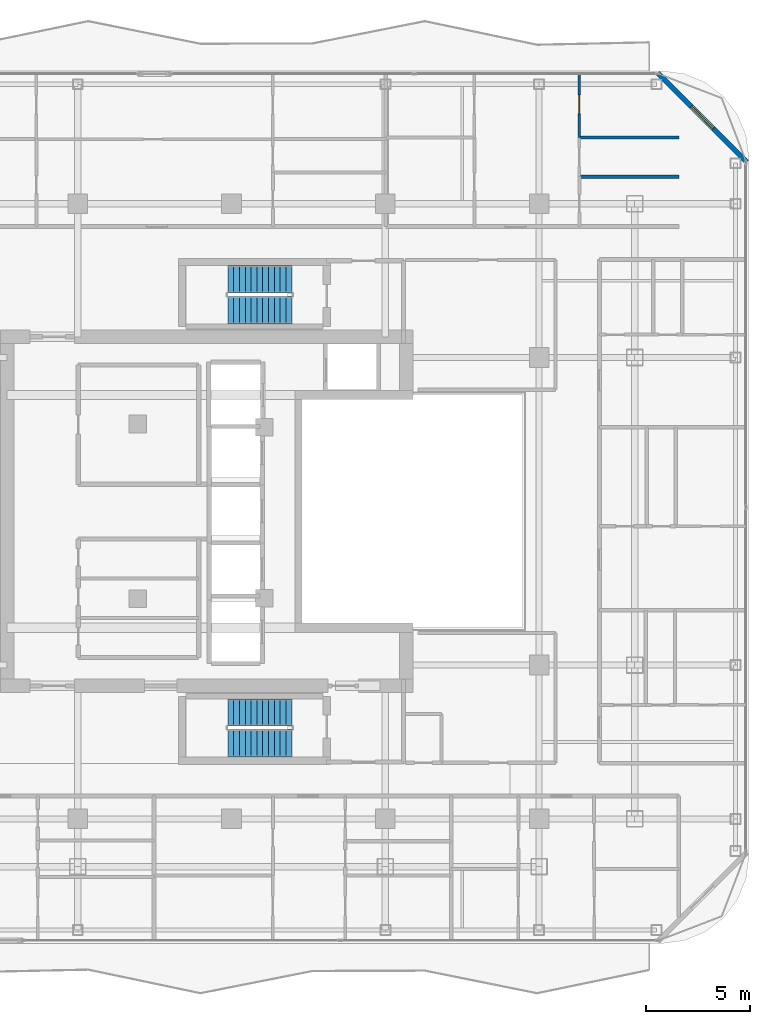
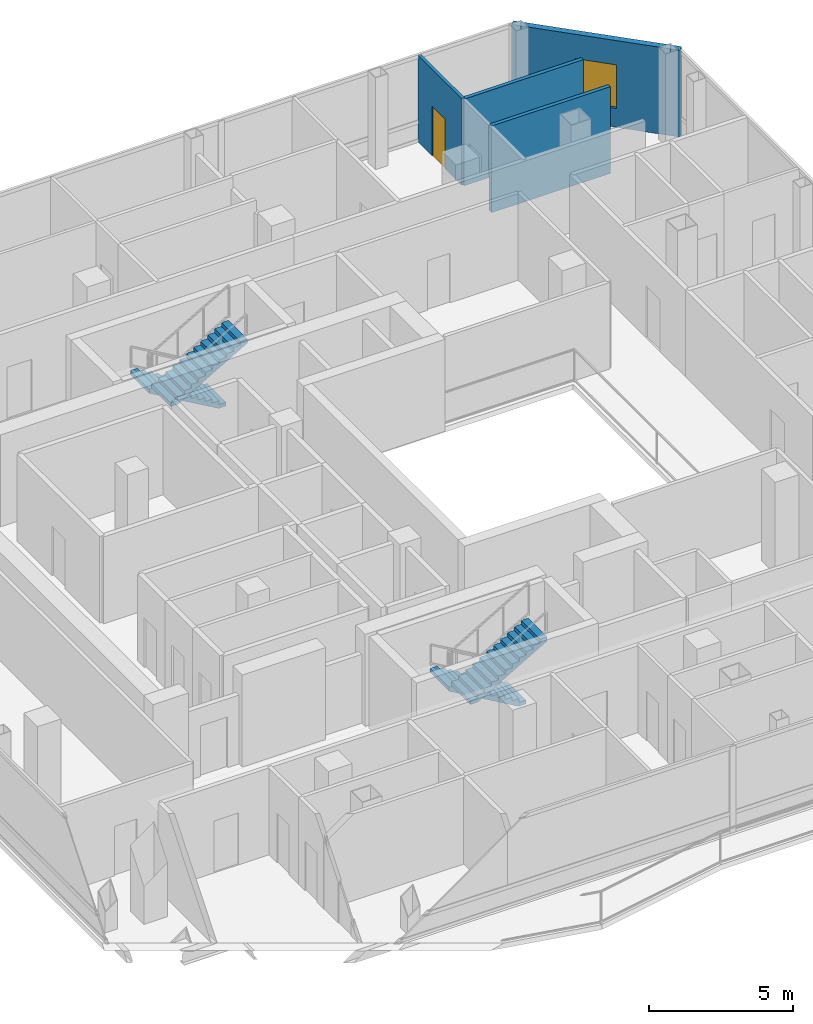
# One storey, part 21 of 24: 4 stair flights, 4 walls, 1 door, 1 window, 2 openings, 2 elements without a shape of their own.
"""IFC4 building model written with IfcOpenShell, lengths in metres."""

from ifc_helpers import new_model, si_unit, direction, frame, frame_2d, origin, place, context, subcontext, project, spatial, polyline, rectangle, outline, extrude, material, layer, layer_set, type_object, element, fill, aggregate, save


model = new_model("IFC4")

# Units and contexts
model_context = context("Model", 3, precision=1e-05, world=origin(), true_north=direction((0.0, 1.0)))
body_context = subcontext(model_context, "Body", "Model", "MODEL_VIEW")
ifc_project = project(units=[si_unit("LENGTHUNIT", "METRE"), si_unit("AREAUNIT", "SQUARE_METRE"), si_unit("VOLUMEUNIT", "CUBIC_METRE"), si_unit("PLANEANGLEUNIT", "RADIAN"), si_unit("MASSUNIT", "GRAM", prefix="KILO")], contexts=[model_context])

# Site, building, storey
site_placement = place(None, origin())
site = spatial("IfcSite", under=ifc_project, at=site_placement, CompositionType="ELEMENT")
building_placement = place(site_placement, origin())
building = spatial("IfcBuilding", under=site, at=building_placement, Name="Khorvyn Point Tower", CompositionType="ELEMENT")
storey_placement = place(building_placement, frame((0.0, 0.0, 266.39990234375)))
storey = spatial("IfcBuildingStorey", under=building, at=storey_placement, Name="L65", CompositionType="ELEMENT", Elevation=266.39990234375)

# Wall, opening, window
ifc_material_1 = material(Name="Pale anodised aluminium rainscreen on steel stud", Category="steel")
ifc_layer_1 = layer(ifc_material_1, 0.239990234375)
ifc_layer_set_1 = layer_set([ifc_layer_1], Name="Anodised Aluminium Insulated Corner Spandrel Wall 240")
wall_type_1 = type_object("IfcWallType", Name="Anodised Aluminium Insulated Corner Spandrel Wall 240", PredefinedType="SOLIDWALL", material=ifc_layer_set_1)
wall_1_placement = place(storey_placement, frame((20.507568359375, 21.09228515625, 0.0), z_axis=(0.0, 0.0, 1.0), x_axis=(0.707126925818, -0.707086635981, 0.0)))
wall_1 = element("IfcWall", 1, at=wall_1_placement, inside=storey, type_object=wall_type_1, Name="L65 Rounded Corner Wall NE", PredefinedType="SOLIDWALL", context=body_context, shape_type="SweptSolid", body=[
    extrude(rectangle(XDim=6.0595703125, YDim=0.239990234375, at=frame_2d((3.02978515625, 0.0))), origin(), (0.0, 0.0, 1.0), 3.68017578125),
])
opening_1_placement = place(wall_1_placement, frame((2.27978515625, 0.0, 0.800048828125)))
opening_1 = element("IfcOpeningElement", 2, at=opening_1_placement, cuts=wall_1, Name="Opening WN-1518", PredefinedType="OPENING", context=body_context, shape_type="SweptSolid", body=[
    extrude(rectangle(XDim=1.5, YDim=1.85009765625, at=frame_2d((0.75, 0.925048828125))), frame((0.0, 0.1298828125, 0.0), z_axis=(0.0, -1.0, 0.0), x_axis=(1.0, 0.0, 0.0)), (0.0, 0.0, 1.0), 0.260009765625),
])
ifc_material_2 = material(Name="Anodised aluminium 6063-T6 and laminated Low-E glass", Category="aluminium")
window_type = type_object("IfcWindowType", Name="Anodised Aluminium Rounded-Corner Panoramic Window 1500x1850", PartitioningType="SINGLE_PANEL", PredefinedType="WINDOW", material=ifc_material_2)
window_placement = place(opening_1_placement, origin())
window = element("IfcWindow", 3, at=window_placement, inside=storey, type_object=window_type, Name="L65 Corner Panoramic Window NE", OverallHeight=1.85009765625, OverallWidth=1.5, PartitioningType="SINGLE_PANEL", PredefinedType="WINDOW", context=body_context, shape_type="SweptSolid", body=[
    extrude(rectangle(XDim=1.5, YDim=1.85009765625, at=frame_2d((0.75, 0.925048828125))), frame((0.0, 0.030029296875, 0.0), z_axis=(0.0, -1.0, 0.0), x_axis=(1.0, 0.0, 0.0)), (0.0, 0.0, 1.0), 0.06005859375),
])
fill(opening_1, window)

# Wall, opening, door
ifc_material_3 = material(Name="Gypsum plasterboard on steel stud", Category="steel")
ifc_layer_2 = layer(ifc_material_3, 0.1201171875)
ifc_layer_set_2 = layer_set([ifc_layer_2], Name="Gypsum Acoustic Stud Room Partition Wall 120")
wall_type_2 = type_object("IfcWallType", Name="Gypsum Acoustic Stud Room Partition Wall 120", PredefinedType="PARTITIONING", material=ifc_layer_set_2)
wall_2_placement = place(storey_placement, frame((16.738037109375, 17.989990234375, 0.0), z_axis=(0.0, 0.0, 1.0), x_axis=(0.0, 1.0, 0.0)))
wall_2 = element("IfcWall", 4, at=wall_2_placement, inside=storey, type_object=wall_type_2, Name="Wall", PredefinedType="PARTITIONING", context=body_context, shape_type="SweptSolid", body=[
    extrude(rectangle(XDim=3.0400390625, YDim=0.1201171875, at=frame_2d((1.52001953125, 0.0))), origin(), (0.0, 0.0, 1.0), 3.68017578125),
])
opening_2_placement = place(wall_2_placement, frame((1.152587890625, 0.0, 0.0)))
opening_2 = element("IfcOpeningElement", 5, at=opening_2_placement, cuts=wall_2, Name="Opening ID-RM90", PredefinedType="OPENING", context=body_context, shape_type="SweptSolid", body=[
    extrude(rectangle(XDim=0.89990234375, YDim=2.10009765625, at=frame_2d((0.449951171875, 1.050048828125))), frame((0.0, 0.070068359375, 0.0), z_axis=(0.0, -1.0, 0.0), x_axis=(1.0, 0.0, 0.0)), (0.0, 0.0, 1.0), 0.14013671875),
])
ifc_material_4 = material(Name="Engineered oak veneer timber", Category="wood")
door_type = type_object("IfcDoorType", Name="Flush Engineered Timber Room Door 900x2100", OperationType="NOTDEFINED", PredefinedType="DOOR", material=ifc_material_4)
door_placement = place(opening_2_placement, origin())
door = element("IfcDoor", 6, at=door_placement, inside=storey, type_object=door_type, Name="Door", OperationType="SINGLE_SWING_LEFT", OverallHeight=2.10009765625, OverallWidth=0.89990234375, PredefinedType="DOOR", context=body_context, shape_type="SweptSolid", body=[
    extrude(rectangle(XDim=0.89990234375, YDim=2.10009765625, at=frame_2d((0.449951171875, 1.050048828125))), frame((0.0, 0.02490234375, 0.0), z_axis=(0.0, -1.0, 0.0), x_axis=(1.0, 0.0, 0.0)), (0.0, 0.0, 1.0), 0.050048828125),
])
fill(opening_2, door)

# Walls
ifc_material_5 = material(Name="Moisture-resistant gypsum and cement board", Category="gypsum")
ifc_layer_3 = layer(ifc_material_5, 0.14990234375)
ifc_layer_set_3 = layer_set([ifc_layer_3], Name="Moisture-Resistant Wet-Room Partition Wall 150")
wall_type_3 = type_object("IfcWallType", Name="Moisture-Resistant Wet-Room Partition Wall 150", PredefinedType="PARTITIONING", material=ifc_layer_set_3)
for number, where, z_axis, x_axis, name in (
    (7, (16.738037109375, 16.10205078125, 0.0), (0.0, 0.0, 1.0), (1.0, 0.0, 0.0), "Wall"),
    (8, (16.738037109375, 17.989990234375, 0.0), (0.0, 0.0, 1.0), (1.0, 0.0, 0.0), "Wall"),
):
    element("IfcWall", number, at=place(storey_placement, frame(where, z_axis=z_axis, x_axis=x_axis)), inside=storey, type_object=wall_type_3, Name=name, PredefinedType="PARTITIONING", context=body_context, shape_type="SweptSolid", body=[
        extrude(rectangle(XDim=4.781982421875, YDim=0.14990234375, at=frame_2d((2.39111328125, 0.0))), origin(), (0.0, 0.0, 1.0), 3.68017578125),
    ])

# Stair, stair flights
ifc_material_6 = material(Name="Concrete C40/50", Category="concrete")
stair_type = type_object("IfcStairType", Name="Tower Concrete C40/50 Dogleg Exit Stair", PredefinedType="HALF_TURN_STAIR", material=ifc_material_6)
stair_1_placement = place(storey_placement, origin())
stair_1 = element("IfcStair", 9, at=stair_1_placement, inside=storey, type_object=stair_type, Name="L65 Tower Smokeproof Exit Stair South", PredefinedType="HALF_TURN_STAIR")
stair_flight_type = type_object("IfcStairFlightType", Name="Tower Concrete C40/50 Stair Flight", PredefinedType="STRAIGHT", material=ifc_material_6)
stair_flight_1_placement = place(storey_placement, frame((2.89990234375, -9.679931640625, 0.0), z_axis=(0.0, 0.0, 1.0), x_axis=(-1.0, 0.0, 0.0)))
stair_flight_1 = element("IfcStairFlight", 10, at=stair_flight_1_placement, type_object=stair_flight_type, Name="ST-01 flight 1", NumberOfRisers=12, NumberOfTreads=11, PredefinedType="STRAIGHT", RiserHeight=0.1625, TreadLength=0.28, context=body_context, shape_type="SweptSolid", body=[
    extrude(outline(polyline([(0.0, 0.0), (0.0, 0.16259765625), (0.280029296875, 0.16259765625), (0.280029296875, 0.324951171875), (0.56005859375, 0.324951171875), (0.56005859375, 0.487548828125), (0.840087890625, 0.487548828125), (0.840087890625, 0.64990234375), (1.1201171875, 0.64990234375), (1.1201171875, 0.8125), (1.39990234375, 0.8125), (1.39990234375, 0.97509765625), (1.679931640625, 0.97509765625), (1.679931640625, 1.137451171875), (1.9599609375, 1.137451171875), (1.9599609375, 1.300048828125), (2.239990234375, 1.300048828125), (2.239990234375, 1.46240234375), (2.52001953125, 1.46240234375), (2.52001953125, 1.625), (2.800048828125, 1.625), (2.800048828125, 1.78759765625), (3.080078125, 1.78759765625), (3.080078125, 1.949951171875), (3.080078125, 1.6142578125), (0.298583984375, 0.0), (0.0, 0.0)])), frame((0.0, 0.66015625, 0.0), z_axis=(0.0, -1.0, 0.0), x_axis=(1.0, 0.0, 0.0)), (0.0, 0.0, 1.0), 1.320068359375),
])
stair_flight_2_placement = place(storey_placement, frame((-0.179931640625, -11.159912109375, 1.9501953125), z_axis=(0.0, 0.0, 1.0), x_axis=(1.0, 0.0, 0.0)))
stair_flight_2 = element("IfcStairFlight", 11, at=stair_flight_2_placement, type_object=stair_flight_type, Name="ST-01 flight 2", NumberOfRisers=12, NumberOfTreads=11, PredefinedType="STRAIGHT", RiserHeight=0.1625, TreadLength=0.28, context=body_context, shape_type="SweptSolid", body=[
    extrude(outline(polyline([(0.0, 0.0), (0.0, 0.16259765625), (0.280029296875, 0.16259765625), (0.280029296875, 0.324951171875), (0.56005859375, 0.324951171875), (0.56005859375, 0.487548828125), (0.840087890625, 0.487548828125), (0.840087890625, 0.64990234375), (1.1201171875, 0.64990234375), (1.1201171875, 0.8125), (1.39990234375, 0.8125), (1.39990234375, 0.97509765625), (1.679931640625, 0.97509765625), (1.679931640625, 1.137451171875), (1.9599609375, 1.137451171875), (1.9599609375, 1.300048828125), (2.239990234375, 1.300048828125), (2.239990234375, 1.46240234375), (2.52001953125, 1.46240234375), (2.52001953125, 1.625), (2.800048828125, 1.625), (2.800048828125, 1.78759765625), (3.080078125, 1.78759765625), (3.080078125, 1.949951171875), (3.080078125, 1.6142578125), (0.298583984375, 0.0), (0.0, 0.0)])), frame((0.0, 0.66015625, 0.0), z_axis=(0.0, -1.0, 0.0), x_axis=(1.0, 0.0, 0.0)), (0.0, 0.0, 1.0), 1.320068359375),
])
aggregate(stair_1, [stair_flight_1, stair_flight_2])

stair_2_placement = place(storey_placement, origin())
stair_2 = element("IfcStair", 12, at=stair_2_placement, inside=storey, type_object=stair_type, Name="L65 Tower Smokeproof Exit Stair North", PredefinedType="HALF_TURN_STAIR")
stair_flight_3_placement = place(storey_placement, frame((2.89990234375, 11.159912109375, 0.0), z_axis=(0.0, 0.0, 1.0), x_axis=(-1.0, 0.0, 0.0)))
stair_flight_3 = element("IfcStairFlight", 13, at=stair_flight_3_placement, type_object=stair_flight_type, Name="ST-02 flight 1", NumberOfRisers=12, NumberOfTreads=11, PredefinedType="STRAIGHT", RiserHeight=0.1625, TreadLength=0.28, context=body_context, shape_type="SweptSolid", body=[
    extrude(outline(polyline([(0.0, 0.0), (0.0, 0.16259765625), (0.280029296875, 0.16259765625), (0.280029296875, 0.324951171875), (0.56005859375, 0.324951171875), (0.56005859375, 0.487548828125), (0.840087890625, 0.487548828125), (0.840087890625, 0.64990234375), (1.1201171875, 0.64990234375), (1.1201171875, 0.8125), (1.39990234375, 0.8125), (1.39990234375, 0.97509765625), (1.679931640625, 0.97509765625), (1.679931640625, 1.137451171875), (1.9599609375, 1.137451171875), (1.9599609375, 1.300048828125), (2.239990234375, 1.300048828125), (2.239990234375, 1.46240234375), (2.52001953125, 1.46240234375), (2.52001953125, 1.625), (2.800048828125, 1.625), (2.800048828125, 1.78759765625), (3.080078125, 1.78759765625), (3.080078125, 1.949951171875), (3.080078125, 1.6142578125), (0.298583984375, 0.0), (0.0, 0.0)])), frame((0.0, 0.66015625, 0.0), z_axis=(0.0, -1.0, 0.0), x_axis=(1.0, 0.0, 0.0)), (0.0, 0.0, 1.0), 1.320068359375),
])
stair_flight_4_placement = place(storey_placement, frame((-0.179931640625, 9.679931640625, 1.9501953125), z_axis=(0.0, 0.0, 1.0), x_axis=(1.0, 0.0, 0.0)))
stair_flight_4 = element("IfcStairFlight", 14, at=stair_flight_4_placement, type_object=stair_flight_type, Name="ST-02 flight 2", NumberOfRisers=12, NumberOfTreads=11, PredefinedType="STRAIGHT", RiserHeight=0.1625, TreadLength=0.28, context=body_context, shape_type="SweptSolid", body=[
    extrude(outline(polyline([(0.0, 0.0), (0.0, 0.16259765625), (0.280029296875, 0.16259765625), (0.280029296875, 0.324951171875), (0.56005859375, 0.324951171875), (0.56005859375, 0.487548828125), (0.840087890625, 0.487548828125), (0.840087890625, 0.64990234375), (1.1201171875, 0.64990234375), (1.1201171875, 0.8125), (1.39990234375, 0.8125), (1.39990234375, 0.97509765625), (1.679931640625, 0.97509765625), (1.679931640625, 1.137451171875), (1.9599609375, 1.137451171875), (1.9599609375, 1.300048828125), (2.239990234375, 1.300048828125), (2.239990234375, 1.46240234375), (2.52001953125, 1.46240234375), (2.52001953125, 1.625), (2.800048828125, 1.625), (2.800048828125, 1.78759765625), (3.080078125, 1.78759765625), (3.080078125, 1.949951171875), (3.080078125, 1.6142578125), (0.298583984375, 0.0), (0.0, 0.0)])), frame((0.0, 0.66015625, 0.0), z_axis=(0.0, -1.0, 0.0), x_axis=(1.0, 0.0, 0.0)), (0.0, 0.0, 1.0), 1.320068359375),
])
aggregate(stair_2, [stair_flight_3, stair_flight_4])

save(model, "model.ifc")
